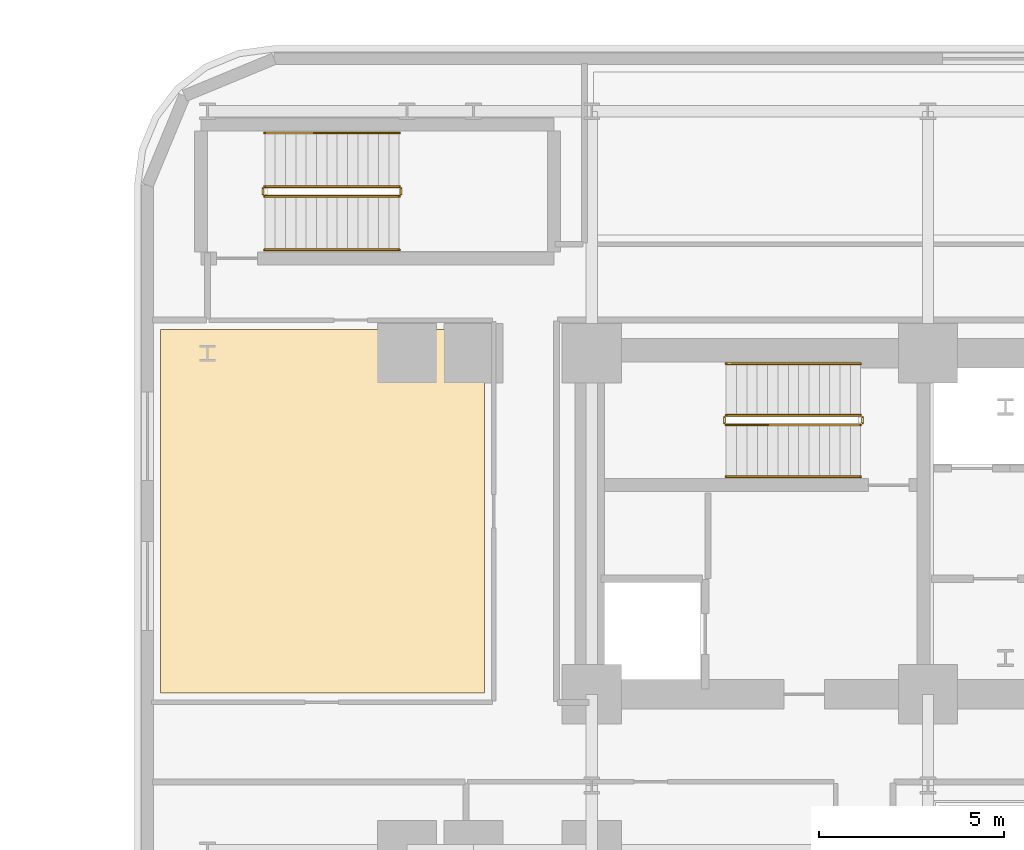
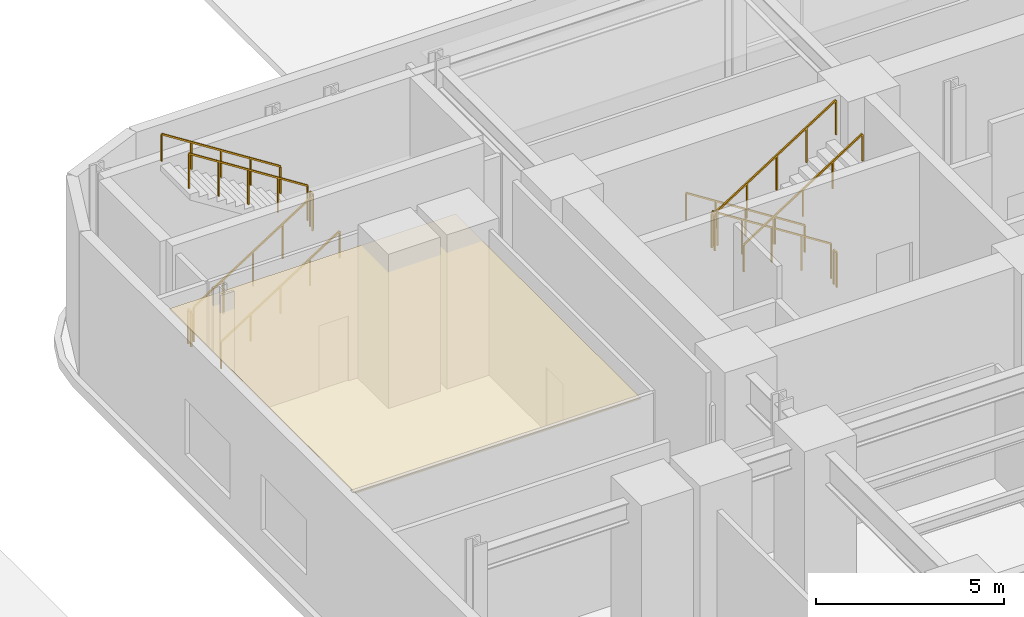
# One storey, part 11 of 12: 12 railings, 1 covering.
"""IFC4 building model written with IfcOpenShell, lengths in metres."""

import ifcopenshell
import ifcopenshell.guid

model = None  # the IFC model being written
_history = None  # IfcOwnerHistory: only IFC2X3 demands one
_inside = {}  # id of a spatial element -> (the spatial element, [elements in it])
_under = {}  # id of a project, library or spatial element -> (it, [spatial elements below it])
_declared = {}  # id of a project -> (the project, [libraries it declares])
_typed = {}  # id of a type object -> (the type object, [elements of that type])
_made_of = {}  # id of a material, layer set ... -> (it, [elements and type objects made of it])


def new_model(schema):
    """Start an empty IFC model of exactly this schema.

    Asked for "IFC4X3", IfcOpenShell would pick the latest addendum, in which some entities
    have other attributes; the version numbers below select the first issue.
    IFC2X3 requires an IfcOwnerHistory on every rooted entity: one is made here for all.
    """
    global model, _history
    if schema == "IFC4X3":
        model = ifcopenshell.file(schema_version=(4, 3, 0, 0))
    else:
        model = ifcopenshell.file(schema=schema)
    _inside.clear()
    _under.clear()
    _declared.clear()
    _typed.clear()
    _made_of.clear()
    _history = None
    if model.schema == "IFC2X3":
        org = make("IfcOrganization", Name="unknown")
        user = make(
            "IfcPersonAndOrganization",
            ThePerson=make("IfcPerson", FamilyName="unknown"),
            TheOrganization=org,
        )
        app = make(
            "IfcApplication",
            ApplicationDeveloper=org,
            Version="unknown",
            ApplicationFullName="unknown",
            ApplicationIdentifier="unknown",
        )
        _history = make(
            "IfcOwnerHistory",
            OwningUser=user,
            OwningApplication=app,
            ChangeAction="ADDED",
            CreationDate=0,
        )
    return model


def make(cls, **values):
    """One entity of the class cls with the attributes given. An attribute that is None is left unset."""
    return model.create_entity(
        cls, **{name: value for name, value in values.items() if value is not None}
    )


def rooted(cls, **values):
    """An entity with a GlobalId (a new one), such as an element, a storey or a relation."""
    return make(cls, GlobalId=ifcopenshell.guid.new(), OwnerHistory=_history, **values)


def si_unit(unit_type, name, prefix=None):
    """IfcSIUnit, for example si_unit("LENGTHUNIT", "METRE", prefix="MILLI")."""
    return make("IfcSIUnit", UnitType=unit_type, Prefix=prefix, Name=name)


def assignment(units):
    """IfcUnitAssignment: the units of a project."""
    return None if units is None else make("IfcUnitAssignment", Units=units)


def point(xyz):
    """IfcCartesianPoint."""
    return None if xyz is None else make("IfcCartesianPoint", Coordinates=xyz)


def direction(xyz):
    """IfcDirection."""
    return None if xyz is None else make("IfcDirection", DirectionRatios=xyz)


def frame(location, z_axis=None, x_axis=None):
    """IfcAxis2Placement3D, a coordinate frame: its origin and axes. An axis left out is left unset."""
    return make(
        "IfcAxis2Placement3D",
        Location=point(location),
        Axis=direction(z_axis),
        RefDirection=direction(x_axis),
    )


def frame_2d(location, x_axis=None):
    """IfcAxis2Placement2D, a coordinate frame in the plane: its origin and x axis."""
    return make(
        "IfcAxis2Placement2D", Location=point(location), RefDirection=direction(x_axis)
    )


def origin():
    """The frame at (0, 0, 0) with its axes left unset."""
    return frame((0.0, 0.0, 0.0))


def origin_2d():
    """The frame at (0, 0) in the plane with its x axis left unset."""
    return frame_2d((0.0, 0.0))


def place(relative_to, where):
    """IfcLocalPlacement: puts the frame where relative to a parent placement (None: the world)."""
    return make(
        "IfcLocalPlacement", PlacementRelTo=relative_to, RelativePlacement=where
    )


def context(
    kind, dimensions, precision=None, world=None, true_north=None, identifier=None
):
    """IfcGeometricRepresentationContext, for example the 3D "Model" context."""
    return make(
        "IfcGeometricRepresentationContext",
        ContextIdentifier=identifier,
        ContextType=kind,
        CoordinateSpaceDimension=dimensions,
        Precision=precision,
        WorldCoordinateSystem=world,
        TrueNorth=true_north,
    )


def subcontext(parent, identifier, kind, view, scale=None):
    """IfcGeometricRepresentationSubContext, for example "Body" below "Model"."""
    return make(
        "IfcGeometricRepresentationSubContext",
        ContextIdentifier=identifier,
        ContextType=kind,
        ParentContext=parent,
        TargetScale=scale,
        TargetView=view,
    )


def project(units=None, contexts=None):
    """IfcProject with its units and contexts."""
    return rooted(
        "IfcProject",
        Name="project",
        RepresentationContexts=contexts,
        UnitsInContext=assignment(units),
    )


def spatial(cls, under=None, at=None, **own):
    """A site, building, storey or space (cls), placed at a placement, below another one or the project."""
    s = rooted(cls, ObjectPlacement=at, **own)
    if under is not None:
        _under.setdefault(under.id(), (under, []))[1].append(s)
    return s


def polyline(points):
    """IfcPolyline through the points."""
    return make("IfcPolyline", Points=[point(p) for p in points])


def profile(cls, at=None, kind="AREA", **sizes):
    """A parametric profile (cls). Its sizes go by their IFC names, for example OverallWidth=200.0."""
    return make(cls, ProfileType=kind, Position=at, **sizes)


def rectangle(**sizes):
    """IfcRectangleProfileDef."""
    return profile("IfcRectangleProfileDef", **sizes)


def outline(outer, holes=None, kind="AREA"):
    """IfcArbitraryClosedProfileDef: a profile drawn as a closed curve; with holes, ...WithVoids."""
    if holes is None:
        return make("IfcArbitraryClosedProfileDef", ProfileType=kind, OuterCurve=outer)
    return make(
        "IfcArbitraryProfileDefWithVoids",
        ProfileType=kind,
        OuterCurve=outer,
        InnerCurves=holes,
    )


def extrude(swept, where, along, depth):
    """IfcExtrudedAreaSolid: the profile swept, set in the frame where, extruded along a direction by depth."""
    return make(
        "IfcExtrudedAreaSolid",
        SweptArea=swept,
        Position=where,
        ExtrudedDirection=direction(along),
        Depth=depth,
    )


def shape(context_of_items, identifier, shape_type, items):
    """IfcShapeRepresentation: the items that make up one representation, for example the "Body"."""
    return make(
        "IfcShapeRepresentation",
        ContextOfItems=context_of_items,
        RepresentationIdentifier=identifier,
        RepresentationType=shape_type,
        Items=items,
    )


def material(Name=None, Category=None):
    """IfcMaterial."""
    return make("IfcMaterial", Name=Name, Category=Category)


def layer(
    of_material, thickness, ventilated=None, Name=None, Category=None, Priority=None
):
    """IfcMaterialLayer: one layer of a wall or slab, of a material (None: an air gap)."""
    return make(
        "IfcMaterialLayer",
        Material=of_material,
        LayerThickness=thickness,
        IsVentilated=ventilated,
        Name=Name,
        Category=Category,
        Priority=Priority,
    )


def layer_set(layers, Name=None):
    """IfcMaterialLayerSet."""
    return make("IfcMaterialLayerSet", MaterialLayers=layers, LayerSetName=Name)


def made_of(thing, what):
    """Note that an element or type object is made of a material, layer set ...; save() writes the relation."""
    if what is not None:
        _made_of.setdefault(what.id(), (what, []))[1].append(thing)
    return thing


def type_object(cls, material=None, **own):
    """A type object (cls), such as IfcWallType, which elements share."""
    return made_of(rooted(cls, **own), material)


def element(
    cls,
    number,
    at=None,
    inside=None,
    cuts=None,
    type_object=None,
    material=None,
    context=None,
    identifier="Body",
    shape_type=None,
    held_by="IfcProductDefinitionShape",
    body=None,
    shapes=None,
    **own,
):
    """One element of the class cls, such as IfcWall. Its Tag is "e" and its number.

    at: its placement. inside: the storey or other place that contains it. cuts: it is an
    opening in that element (IfcRelVoidsElement). A single representation is given by context,
    identifier, shape_type and body (its items); several are given by shapes. held_by: the class
    of the entity that holds the representations. save() writes the other relations.
    """
    e = rooted(cls, Tag="e%d" % number, ObjectPlacement=at, **own)
    if body is not None:
        shapes = [shape(context, identifier, shape_type, body)]
    if shapes is not None:
        e.Representation = make(held_by, Representations=shapes)
    if inside is not None:
        _inside.setdefault(inside.id(), (inside, []))[1].append(e)
    if cuts is not None:
        rooted(
            "IfcRelVoidsElement", RelatingBuildingElement=cuts, RelatedOpeningElement=e
        )
    if type_object is not None:
        _typed.setdefault(type_object.id(), (type_object, []))[1].append(e)
    return made_of(e, material)


def aggregate(whole, parts):
    """IfcRelAggregates: a whole, such as a stair, and the parts it consists of."""
    return rooted("IfcRelAggregates", RelatingObject=whole, RelatedObjects=parts)


def save(model, path):
    """Write the relations noted so far, then the file.

    IfcRelAggregates (storeys below a building ...), IfcRelContainedInSpatialStructure (elements
    in a storey), IfcRelDefinesByType, IfcRelAssociatesMaterial and IfcRelDeclares: one each for
    every whole, place, type object, material and project.
    """
    for whole, parts in _under.values():
        aggregate(whole, parts)
    for where, things in _inside.values():
        rooted(
            "IfcRelContainedInSpatialStructure",
            RelatedElements=things,
            RelatingStructure=where,
        )
    for kind, things in _typed.values():
        rooted("IfcRelDefinesByType", RelatedObjects=things, RelatingType=kind)
    for what, things in _made_of.values():
        rooted("IfcRelAssociatesMaterial", RelatedObjects=things, RelatingMaterial=what)
    for by, libraries in _declared.values():
        rooted("IfcRelDeclares", RelatingContext=by, RelatedDefinitions=libraries)
    model.write(path)


model = new_model("IFC4")

# Units and contexts
model_context = context("Model", 3, precision=1e-05, world=origin(), true_north=direction((0.0, 1.0)))
body_context = subcontext(model_context, "Body", "Model", "MODEL_VIEW")
ifc_project = project(units=[si_unit("LENGTHUNIT", "METRE"), si_unit("AREAUNIT", "SQUARE_METRE"), si_unit("VOLUMEUNIT", "CUBIC_METRE"), si_unit("PLANEANGLEUNIT", "RADIAN"), si_unit("MASSUNIT", "GRAM", prefix="KILO")], contexts=[model_context])

# Site, building, storey
site_placement = place(None, origin())
site = spatial("IfcSite", under=ifc_project, at=site_placement, CompositionType="ELEMENT")
building_placement = place(site_placement, origin())
building = spatial("IfcBuilding", under=site, at=building_placement, Name="Zarnavel Station Tower", CompositionType="ELEMENT")
storey_placement = place(building_placement, frame((0.0, 0.0, 5.39990234375)))
storey = spatial("IfcBuildingStorey", under=building, at=storey_placement, Name="L02", CompositionType="ELEMENT", Elevation=5.39990234375)

# Covering
ifc_material_1 = material(Name="Perforated Gypsum and Mineral-Wool Acoustic Ceiling", Category="concrete")
ifc_layer = layer(ifc_material_1, 0.0400390625)
ifc_layer_set = layer_set([ifc_layer], Name="COV_CEIL_ACOUSTIC")
covering_type = type_object("IfcCoveringType", Name="COV_CEIL_ACOUSTIC", PredefinedType="CEILING", material=ifc_layer_set)
covering_placement = place(storey_placement, frame((0.0, 0.0, 4.380126953125)))
element("IfcCovering", 1, at=covering_placement, inside=storey, type_object=covering_type, Name="L02 PNW Acoustic Ceiling", PredefinedType="CEILING", context=body_context, shape_type="SweptSolid", body=[
    extrude(outline(polyline([(0.530029296875, 27.85009765625), (9.300048828125, 27.85009765625), (9.300048828125, 37.699951171875), (0.530029296875, 37.699951171875), (0.530029296875, 27.85009765625)])), origin(), (0.0, 0.0, 1.0), 0.0400390625),
])

# Railings
ifc_material_2 = material(Name="Painted Steel S355J2 Balustrade", Category="steel")
railing_type_1 = type_object("IfcRailingType", Name="GR_INT_1150", PredefinedType="GUARDRAIL", material=ifc_material_2)
railing_1_placement = place(storey_placement, frame((19.47998046875, 35.3701171875, 0.1787109375)))
element("IfcRailing", 2, at=railing_1_placement, inside=storey, type_object=railing_type_1, Name="L02 ST1 stair guard 1", PredefinedType="GUARDRAIL", context=body_context, shape_type="SweptSolid", body=[
    extrude(rectangle(XDim=0.048095703125, YDim=0.048095703125, at=origin_2d()), frame((-0.001708984375, 0.0, 1.126953125), z_axis=(-0.843137146238, 0.0, 0.537698570422), x_axis=(0.0, -1.0, 0.0)), (0.0, 0.0, 1.0), 4.31298828125),
    extrude(rectangle(XDim=0.0419921875, YDim=0.0419921875, at=origin_2d()), origin(), (0.0, 0.0, 1.0), 1.101806640625),
    extrude(rectangle(XDim=0.0419921875, YDim=0.0419921875, at=origin_2d()), frame((-0.909912109375, 0.0, 0.580322265625)), (0.0, 0.0, 1.0), 1.101806640625),
    extrude(rectangle(XDim=0.0419921875, YDim=0.0419921875, at=origin_2d()), frame((-1.81982421875, 0.0, 1.16064453125)), (0.0, 0.0, 1.0), 1.101806640625),
    extrude(rectangle(XDim=0.0419921875, YDim=0.0419921875, at=origin_2d()), frame((-2.72998046875, 0.0, 1.740966796875)), (0.0, 0.0, 1.0), 1.101806640625),
    extrude(rectangle(XDim=0.0419921875, YDim=0.0419921875, at=origin_2d()), frame((-3.639892578125, 0.0, 2.3212890625)), (0.0, 0.0, 1.0), 1.101806640625),
])
railing_2_placement = place(storey_placement, frame((15.7900390625, 35.320068359375, 2.5)))
element("IfcRailing", 3, at=railing_2_placement, inside=storey, type_object=railing_type_1, Name="L02 ST1 stair guard 2", PredefinedType="GUARDRAIL", context=body_context, shape_type="SweptSolid", body=[
    extrude(rectangle(XDim=0.048095703125, YDim=0.048095703125, at=origin_2d()), frame((0.0, -0.001953125, 1.1259765625), z_axis=(0.0, -1.0, 0.0), x_axis=(1.0, 0.0, 0.0)), (0.0, 0.0, 1.0), 0.15625),
    extrude(rectangle(XDim=0.0419921875, YDim=0.0419921875, at=origin_2d()), origin(), (0.0, 0.0, 1.0), 1.101806640625),
    extrude(rectangle(XDim=0.0419921875, YDim=0.0419921875, at=origin_2d()), frame((0.0, -0.16015625, 0.0)), (0.0, 0.0, 1.0), 1.101806640625),
])
railing_3_placement = place(storey_placement, frame((15.840087890625, 35.110107421875, 2.6787109375)))
element("IfcRailing", 4, at=railing_3_placement, inside=storey, type_object=railing_type_1, Name="L02 ST1 stair guard 3", PredefinedType="GUARDRAIL", context=body_context, shape_type="SweptSolid", body=[
    extrude(rectangle(XDim=0.048095703125, YDim=0.048095703125, at=origin_2d()), frame((0.001708984375, 0.0, 1.126953125), z_axis=(0.843137146238, 0.0, 0.537698570422), x_axis=(0.0, 1.0, 0.0)), (0.0, 0.0, 1.0), 4.31298828125),
    extrude(rectangle(XDim=0.0419921875, YDim=0.0419921875, at=origin_2d()), origin(), (0.0, 0.0, 1.0), 1.101806640625),
    extrude(rectangle(XDim=0.0419921875, YDim=0.0419921875, at=origin_2d()), frame((0.909912109375, 0.0, 0.580322265625)), (0.0, 0.0, 1.0), 1.101806640625),
    extrude(rectangle(XDim=0.0419921875, YDim=0.0419921875, at=origin_2d()), frame((1.81982421875, 0.0, 1.16064453125)), (0.0, 0.0, 1.0), 1.101806640625),
    extrude(rectangle(XDim=0.0419921875, YDim=0.0419921875, at=origin_2d()), frame((2.72998046875, 0.0, 1.740966796875)), (0.0, 0.0, 1.0), 1.101806640625),
    extrude(rectangle(XDim=0.0419921875, YDim=0.0419921875, at=origin_2d()), frame((3.639892578125, 0.0, 2.3212890625)), (0.0, 0.0, 1.0), 1.101806640625),
])
railing_4_placement = place(storey_placement, frame((19.530029296875, 35.320068359375, 0.0)))
element("IfcRailing", 5, at=railing_4_placement, inside=storey, type_object=railing_type_1, Name="L02 ST1 stair guard 4", PredefinedType="GUARDRAIL", context=body_context, shape_type="SweptSolid", body=[
    extrude(rectangle(XDim=0.048095703125, YDim=0.048095703125, at=origin_2d()), frame((0.0, -0.001953125, 1.1259765625), z_axis=(0.0, -1.0, 0.0), x_axis=(1.0, 0.0, 0.0)), (0.0, 0.0, 1.0), 0.15625),
    extrude(rectangle(XDim=0.0419921875, YDim=0.0419921875, at=origin_2d()), origin(), (0.0, 0.0, 1.0), 1.101806640625),
    extrude(rectangle(XDim=0.0419921875, YDim=0.0419921875, at=origin_2d()), frame((0.0, -0.16015625, 0.0)), (0.0, 0.0, 1.0), 1.101806640625),
])
railing_5_placement = place(storey_placement, frame((3.35009765625, 41.300048828125, 0.1787109375)))
element("IfcRailing", 6, at=railing_5_placement, inside=storey, type_object=railing_type_1, Name="L02 ST4 stair guard 1", PredefinedType="GUARDRAIL", context=body_context, shape_type="SweptSolid", body=[
    extrude(rectangle(XDim=0.048095703125, YDim=0.048095703125, at=origin_2d()), frame((0.001708984375, 0.0, 1.126953125), z_axis=(0.843137146238, 0.0, 0.537698570422), x_axis=(0.0, 1.0, 0.0)), (0.0, 0.0, 1.0), 4.31298828125),
    extrude(rectangle(XDim=0.0419921875, YDim=0.0419921875, at=origin_2d()), origin(), (0.0, 0.0, 1.0), 1.101806640625),
    extrude(rectangle(XDim=0.0419921875, YDim=0.0419921875, at=origin_2d()), frame((0.909912109375, 0.0, 0.580322265625)), (0.0, 0.0, 1.0), 1.101806640625),
    extrude(rectangle(XDim=0.0419921875, YDim=0.0419921875, at=origin_2d()), frame((1.81982421875, 0.0, 1.16064453125)), (0.0, 0.0, 1.0), 1.101806640625),
    extrude(rectangle(XDim=0.0419921875, YDim=0.0419921875, at=origin_2d()), frame((2.72998046875, 0.0, 1.740966796875)), (0.0, 0.0, 1.0), 1.101806640625),
    extrude(rectangle(XDim=0.0419921875, YDim=0.0419921875, at=origin_2d()), frame((3.639892578125, 0.0, 2.3212890625)), (0.0, 0.0, 1.0), 1.101806640625),
])
railing_6_placement = place(storey_placement, frame((7.0400390625, 41.35009765625, 2.5)))
element("IfcRailing", 7, at=railing_6_placement, inside=storey, type_object=railing_type_1, Name="L02 ST4 stair guard 2", PredefinedType="GUARDRAIL", context=body_context, shape_type="SweptSolid", body=[
    extrude(rectangle(XDim=0.048095703125, YDim=0.048095703125, at=origin_2d()), frame((0.0, 0.001953125, 1.1259765625), z_axis=(0.0, 1.0, 0.0), x_axis=(-1.0, 0.0, 0.0)), (0.0, 0.0, 1.0), 0.156005859375),
    extrude(rectangle(XDim=0.0419921875, YDim=0.0419921875, at=origin_2d()), origin(), (0.0, 0.0, 1.0), 1.101806640625),
    extrude(rectangle(XDim=0.0419921875, YDim=0.0419921875, at=origin_2d()), frame((0.0, 0.159912109375, 0.0)), (0.0, 0.0, 1.0), 1.101806640625),
])
railing_7_placement = place(storey_placement, frame((6.989990234375, 41.56005859375, 2.6787109375)))
element("IfcRailing", 8, at=railing_7_placement, inside=storey, type_object=railing_type_1, Name="L02 ST4 stair guard 3", PredefinedType="GUARDRAIL", context=body_context, shape_type="SweptSolid", body=[
    extrude(rectangle(XDim=0.048095703125, YDim=0.048095703125, at=origin_2d()), frame((-0.001708984375, 0.0, 1.126953125), z_axis=(-0.843137146238, 0.0, 0.537698570422), x_axis=(0.0, -1.0, 0.0)), (0.0, 0.0, 1.0), 4.31298828125),
    extrude(rectangle(XDim=0.0419921875, YDim=0.0419921875, at=origin_2d()), origin(), (0.0, 0.0, 1.0), 1.101806640625),
    extrude(rectangle(XDim=0.0419921875, YDim=0.0419921875, at=origin_2d()), frame((-0.909912109375, 0.0, 0.580322265625)), (0.0, 0.0, 1.0), 1.101806640625),
    extrude(rectangle(XDim=0.0419921875, YDim=0.0419921875, at=origin_2d()), frame((-1.81982421875, 0.0, 1.16064453125)), (0.0, 0.0, 1.0), 1.101806640625),
    extrude(rectangle(XDim=0.0419921875, YDim=0.0419921875, at=origin_2d()), frame((-2.72998046875, 0.0, 1.740966796875)), (0.0, 0.0, 1.0), 1.101806640625),
    extrude(rectangle(XDim=0.0419921875, YDim=0.0419921875, at=origin_2d()), frame((-3.639892578125, 0.0, 2.3212890625)), (0.0, 0.0, 1.0), 1.101806640625),
])
railing_8_placement = place(storey_placement, frame((3.300048828125, 41.35009765625, 0.0)))
element("IfcRailing", 9, at=railing_8_placement, inside=storey, type_object=railing_type_1, Name="L02 ST4 stair guard 4", PredefinedType="GUARDRAIL", context=body_context, shape_type="SweptSolid", body=[
    extrude(rectangle(XDim=0.048095703125, YDim=0.048095703125, at=origin_2d()), frame((0.0, 0.001953125, 1.1259765625), z_axis=(0.0, 1.0, 0.0), x_axis=(-1.0, 0.0, 0.0)), (0.0, 0.0, 1.0), 0.156005859375),
    extrude(rectangle(XDim=0.0419921875, YDim=0.0419921875, at=origin_2d()), origin(), (0.0, 0.0, 1.0), 1.101806640625),
    extrude(rectangle(XDim=0.0419921875, YDim=0.0419921875, at=origin_2d()), frame((0.0, 0.159912109375, 0.0)), (0.0, 0.0, 1.0), 1.101806640625),
])
ifc_material_3 = material(Name="Brushed Stainless Steel S355J2 Handrail", Category="steel")
railing_type_2 = type_object("IfcRailingType", Name="HR_STAIR_900", PredefinedType="HANDRAIL", material=ifc_material_3)
railing_9_placement = place(storey_placement, frame((19.47998046875, 36.77001953125, 0.1787109375)))
element("IfcRailing", 10, at=railing_9_placement, inside=storey, type_object=railing_type_2, Name="L02 ST1 stair handrail 1", PredefinedType="HANDRAIL", context=body_context, shape_type="SweptSolid", body=[
    extrude(rectangle(XDim=0.048095703125, YDim=0.048095703125, at=origin_2d()), frame((-0.001708984375, 0.0, 0.876953125), z_axis=(-0.843137146238, 0.0, 0.537698570422), x_axis=(0.0, -1.0, 0.0)), (0.0, 0.0, 1.0), 4.31298828125),
    extrude(rectangle(XDim=0.0419921875, YDim=0.0419921875, at=origin_2d()), origin(), (0.0, 0.0, 1.0), 0.851806640625),
    extrude(rectangle(XDim=0.0419921875, YDim=0.0419921875, at=origin_2d()), frame((-0.909912109375, 0.0, 0.580322265625)), (0.0, 0.0, 1.0), 0.851806640625),
    extrude(rectangle(XDim=0.0419921875, YDim=0.0419921875, at=origin_2d()), frame((-1.81982421875, 0.0, 1.16064453125)), (0.0, 0.0, 1.0), 0.851806640625),
    extrude(rectangle(XDim=0.0419921875, YDim=0.0419921875, at=origin_2d()), frame((-2.72998046875, 0.0, 1.740966796875)), (0.0, 0.0, 1.0), 0.851806640625),
    extrude(rectangle(XDim=0.0419921875, YDim=0.0419921875, at=origin_2d()), frame((-3.639892578125, 0.0, 2.3212890625)), (0.0, 0.0, 1.0), 0.851806640625),
])
for number, where, name in (
    (11, (15.840087890625, 33.7099609375, 2.6787109375), "L02 ST1 stair handrail 2"),
    (12, (3.35009765625, 39.85009765625, 0.1787109375), "L02 ST4 stair handrail 1"),
):
    element("IfcRailing", number, at=place(storey_placement, frame(where)), inside=storey, type_object=railing_type_2, Name=name, PredefinedType="HANDRAIL", context=body_context, shape_type="SweptSolid", body=[
        extrude(rectangle(XDim=0.048095703125, YDim=0.048095703125, at=origin_2d()), frame((0.001708984375, 0.0, 0.876953125), z_axis=(0.843137146238, 0.0, 0.537698570422), x_axis=(0.0, 1.0, 0.0)), (0.0, 0.0, 1.0), 4.31298828125),
        extrude(rectangle(XDim=0.0419921875, YDim=0.0419921875, at=origin_2d()), origin(), (0.0, 0.0, 1.0), 0.851806640625),
        extrude(rectangle(XDim=0.0419921875, YDim=0.0419921875, at=origin_2d()), frame((0.909912109375, 0.0, 0.580322265625)), (0.0, 0.0, 1.0), 0.851806640625),
        extrude(rectangle(XDim=0.0419921875, YDim=0.0419921875, at=origin_2d()), frame((1.81982421875, 0.0, 1.16064453125)), (0.0, 0.0, 1.0), 0.851806640625),
        extrude(rectangle(XDim=0.0419921875, YDim=0.0419921875, at=origin_2d()), frame((2.72998046875, 0.0, 1.740966796875)), (0.0, 0.0, 1.0), 0.851806640625),
        extrude(rectangle(XDim=0.0419921875, YDim=0.0419921875, at=origin_2d()), frame((3.639892578125, 0.0, 2.3212890625)), (0.0, 0.0, 1.0), 0.851806640625),
    ])
railing_10_placement = place(storey_placement, frame((6.989990234375, 43.010009765625, 2.6787109375)))
element("IfcRailing", 13, at=railing_10_placement, inside=storey, type_object=railing_type_2, Name="L02 ST4 stair handrail 2", PredefinedType="HANDRAIL", context=body_context, shape_type="SweptSolid", body=[
    extrude(rectangle(XDim=0.048095703125, YDim=0.048095703125, at=origin_2d()), frame((-0.001708984375, 0.0, 0.876953125), z_axis=(-0.843137146238, 0.0, 0.537698570422), x_axis=(0.0, -1.0, 0.0)), (0.0, 0.0, 1.0), 4.31298828125),
    extrude(rectangle(XDim=0.0419921875, YDim=0.0419921875, at=origin_2d()), origin(), (0.0, 0.0, 1.0), 0.851806640625),
    extrude(rectangle(XDim=0.0419921875, YDim=0.0419921875, at=origin_2d()), frame((-0.909912109375, 0.0, 0.580322265625)), (0.0, 0.0, 1.0), 0.851806640625),
    extrude(rectangle(XDim=0.0419921875, YDim=0.0419921875, at=origin_2d()), frame((-1.81982421875, 0.0, 1.16064453125)), (0.0, 0.0, 1.0), 0.851806640625),
    extrude(rectangle(XDim=0.0419921875, YDim=0.0419921875, at=origin_2d()), frame((-2.72998046875, 0.0, 1.740966796875)), (0.0, 0.0, 1.0), 0.851806640625),
    extrude(rectangle(XDim=0.0419921875, YDim=0.0419921875, at=origin_2d()), frame((-3.639892578125, 0.0, 2.3212890625)), (0.0, 0.0, 1.0), 0.851806640625),
])

save(model, "model.ifc")
